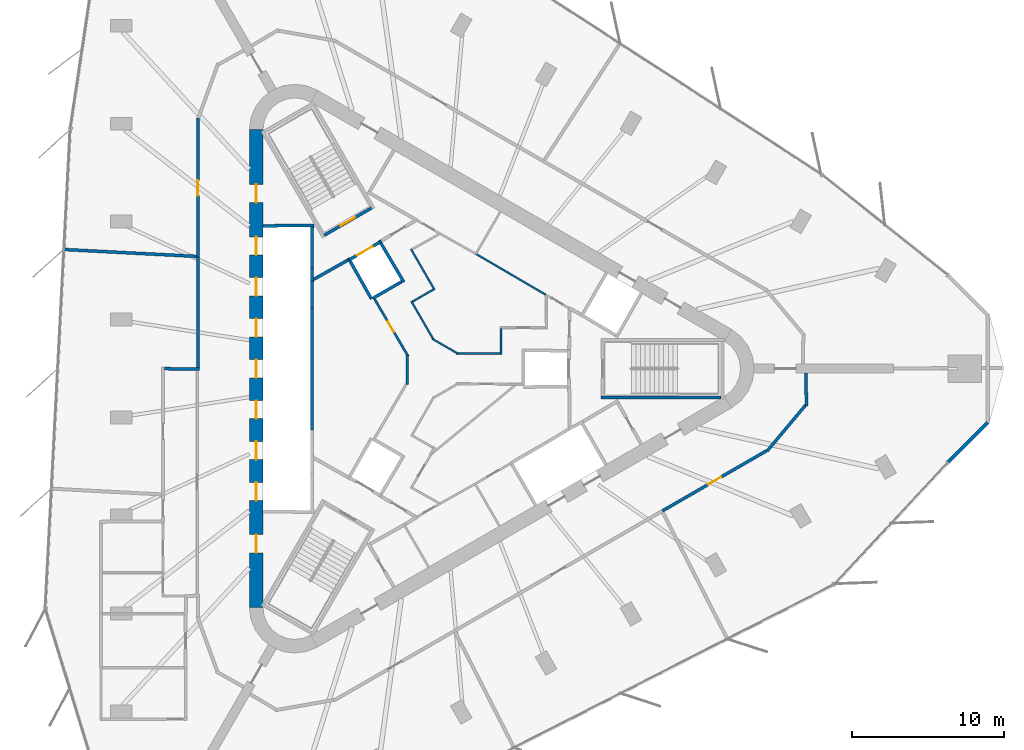
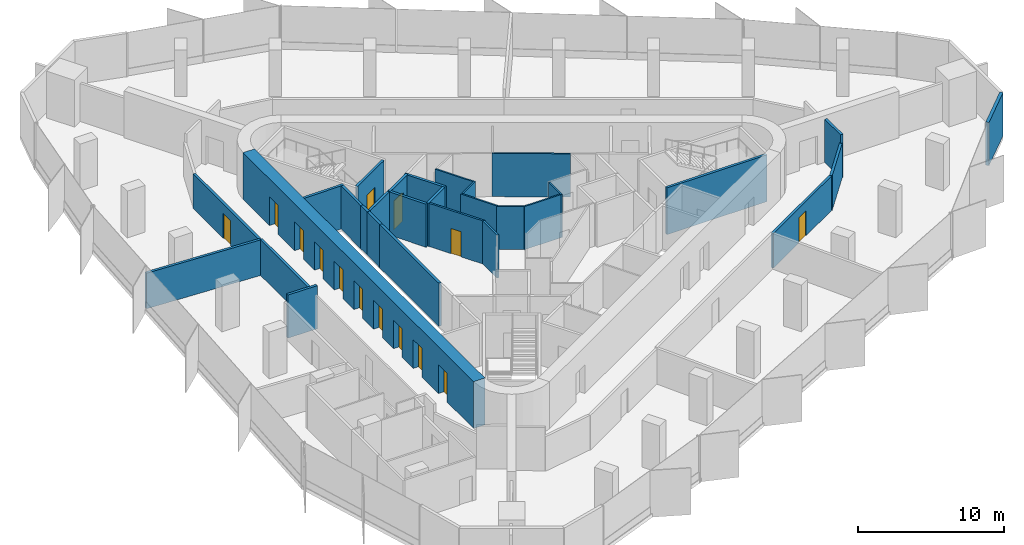
# One storey, part 10 of 13: 30 walls, 14 doors, 14 openings.
"""IFC4 building model written with IfcOpenShell, lengths in metres."""

from ifc_helpers import new_model, si_unit, direction, frame, frame_2d, origin, place, context, subcontext, project, spatial, rectangle, extrude, material, layer, layer_set, type_object, element, fill, save


model = new_model("IFC4")

# Units and contexts
model_context = context("Model", 3, precision=1e-05, world=origin(), true_north=direction((0.0, 1.0)))
body_context = subcontext(model_context, "Body", "Model", "MODEL_VIEW")
ifc_project = project(units=[si_unit("LENGTHUNIT", "METRE"), si_unit("AREAUNIT", "SQUARE_METRE"), si_unit("VOLUMEUNIT", "CUBIC_METRE"), si_unit("PLANEANGLEUNIT", "RADIAN"), si_unit("MASSUNIT", "GRAM", prefix="KILO")], contexts=[model_context])

# Site, building, storey
site_placement = place(None, origin())
site = spatial("IfcSite", under=ifc_project, at=site_placement, CompositionType="ELEMENT")
building_placement = place(site_placement, origin())
building = spatial("IfcBuilding", under=site, at=building_placement, Name="Tanit Gate Tower", CompositionType="ELEMENT")
storey_placement = place(building_placement, frame((0.0, 0.0, 310.39990234375)))
storey = spatial("IfcBuildingStorey", under=building, at=storey_placement, Name="L69", CompositionType="ELEMENT", Elevation=310.39990234375)

# Wall, openings, doors
ifc_material_1 = material(Name="Concrete C40/50", Category="concrete")
ifc_layer_1 = layer(ifc_material_1, 0.89990234375)
ifc_layer_set_1 = layer_set([ifc_layer_1], Name="CORE WALL 900 C40/50")
wall_type_1 = type_object("IfcWallType", Name="CORE WALL 900 C40/50", PredefinedType="SHEAR", material=ifc_layer_set_1)
wall_1_placement = place(storey_placement, frame((-11.64990234375, 15.76171875, 0.0), z_axis=(0.0, 0.0, 1.0), x_axis=(0.0, -1.0, 0.0)))
wall_1 = element("IfcWall", 1, at=wall_1_placement, inside=storey, type_object=wall_type_1, Name="CORE WALL", PredefinedType="SHEAR", context=body_context, shape_type="SweptSolid", body=[
    extrude(rectangle(XDim=31.5234375, YDim=0.89990234375, at=frame_2d((15.76171875, 0.0))), origin(), (0.0, 0.0, 1.0), 3.900146484375),
])
opening_1_placement = place(wall_1_placement, frame((7.061767578125, 0.0, 0.0)))
opening_1 = element("IfcOpeningElement", 2, at=opening_1_placement, cuts=wall_1, Name="Opening LDHL1-S19", PredefinedType="OPENING", context=body_context, shape_type="SweptSolid", body=[
    extrude(rectangle(XDim=1.199951171875, YDim=2.39990234375, at=frame_2d((0.60009765625, 1.199951171875))), frame((0.0, 0.4599609375, 0.0), z_axis=(0.0, -1.0, 0.0), x_axis=(1.0, 0.0, 0.0)), (0.0, 0.0, 1.0), 0.919921875),
])
opening_2_placement = place(wall_1_placement, frame((9.76171875, 0.0, 0.0)))
opening_2 = element("IfcOpeningElement", 3, at=opening_2_placement, cuts=wall_1, Name="Opening LDHL2-S19", PredefinedType="OPENING", context=body_context, shape_type="SweptSolid", body=[
    extrude(rectangle(XDim=1.199951171875, YDim=2.39990234375, at=frame_2d((0.60009765625, 1.199951171875))), frame((0.0, 0.4599609375, 0.0), z_axis=(0.0, -1.0, 0.0), x_axis=(1.0, 0.0, 0.0)), (0.0, 0.0, 1.0), 0.919921875),
])
opening_3_placement = place(wall_1_placement, frame((12.461669921875, 0.0, 0.0)))
opening_3 = element("IfcOpeningElement", 4, at=opening_3_placement, cuts=wall_1, Name="Opening LDHL3-S19", PredefinedType="OPENING", context=body_context, shape_type="SweptSolid", body=[
    extrude(rectangle(XDim=1.199951171875, YDim=2.39990234375, at=frame_2d((0.60009765625, 1.199951171875))), frame((0.0, 0.4599609375, 0.0), z_axis=(0.0, -1.0, 0.0), x_axis=(1.0, 0.0, 0.0)), (0.0, 0.0, 1.0), 0.919921875),
])
opening_4_placement = place(wall_1_placement, frame((15.16162109375, 0.0, 0.0)))
opening_4 = element("IfcOpeningElement", 5, at=opening_4_placement, cuts=wall_1, Name="Opening LDHL4-S19", PredefinedType="OPENING", context=body_context, shape_type="SweptSolid", body=[
    extrude(rectangle(XDim=1.199951171875, YDim=2.39990234375, at=frame_2d((0.60009765625, 1.199951171875))), frame((0.0, 0.4599609375, 0.0), z_axis=(0.0, -1.0, 0.0), x_axis=(1.0, 0.0, 0.0)), (0.0, 0.0, 1.0), 0.919921875),
])
opening_5_placement = place(wall_1_placement, frame((17.86181640625, 0.0, 0.0)))
opening_5 = element("IfcOpeningElement", 6, at=opening_5_placement, cuts=wall_1, Name="Opening LDHL5-S19", PredefinedType="OPENING", context=body_context, shape_type="SweptSolid", body=[
    extrude(rectangle(XDim=1.199951171875, YDim=2.39990234375, at=frame_2d((0.60009765625, 1.199951171875))), frame((0.0, 0.4599609375, 0.0), z_axis=(0.0, -1.0, 0.0), x_axis=(1.0, 0.0, 0.0)), (0.0, 0.0, 1.0), 0.919921875),
])
opening_6_placement = place(wall_1_placement, frame((20.561767578125, 0.0, 0.0)))
opening_6 = element("IfcOpeningElement", 7, at=opening_6_placement, cuts=wall_1, Name="Opening LDHL6-S19", PredefinedType="OPENING", context=body_context, shape_type="SweptSolid", body=[
    extrude(rectangle(XDim=1.199951171875, YDim=2.39990234375, at=frame_2d((0.60009765625, 1.199951171875))), frame((0.0, 0.4599609375, 0.0), z_axis=(0.0, -1.0, 0.0), x_axis=(1.0, 0.0, 0.0)), (0.0, 0.0, 1.0), 0.919921875),
])
opening_7_placement = place(wall_1_placement, frame((23.26171875, 0.0, 0.0)))
opening_7 = element("IfcOpeningElement", 8, at=opening_7_placement, cuts=wall_1, Name="Opening LDHL7-S19", PredefinedType="OPENING", context=body_context, shape_type="SweptSolid", body=[
    extrude(rectangle(XDim=1.199951171875, YDim=2.39990234375, at=frame_2d((0.60009765625, 1.199951171875))), frame((0.0, 0.4599609375, 0.0), z_axis=(0.0, -1.0, 0.0), x_axis=(1.0, 0.0, 0.0)), (0.0, 0.0, 1.0), 0.919921875),
])
opening_8_placement = place(wall_1_placement, frame((3.61181640625, 0.0, 0.0)))
opening_8 = element("IfcOpeningElement", 9, at=opening_8_placement, cuts=wall_1, Name="Opening F12-S19-FL2", PredefinedType="OPENING", context=body_context, shape_type="SweptSolid", body=[
    extrude(rectangle(XDim=1.199951171875, YDim=2.39990234375, at=frame_2d((0.60009765625, 1.199951171875))), frame((0.0, 0.4599609375, 0.0), z_axis=(0.0, -1.0, 0.0), x_axis=(1.0, 0.0, 0.0)), (0.0, 0.0, 1.0), 0.919921875),
])
opening_9_placement = place(wall_1_placement, frame((26.711669921875, 0.0, 0.0)))
opening_9 = element("IfcOpeningElement", 10, at=opening_9_placement, cuts=wall_1, Name="Opening F12-S19-S3", PredefinedType="OPENING", context=body_context, shape_type="SweptSolid", body=[
    extrude(rectangle(XDim=1.199951171875, YDim=2.39990234375, at=frame_2d((0.60009765625, 1.199951171875))), frame((0.0, 0.4599609375, 0.0), z_axis=(0.0, -1.0, 0.0), x_axis=(1.0, 0.0, 0.0)), (0.0, 0.0, 1.0), 0.919921875),
])
ifc_material_2 = material(Name="Fire-rated steel door leaf", Category="steel")
door_type_1 = type_object("IfcDoorType", Name="INT-DOOR-FIRE-LOBBY-1200", OperationType="NOTDEFINED", PredefinedType="USERDEFINED", material=ifc_material_2)
door_1_placement = place(opening_8_placement, origin())
door_1 = element("IfcDoor", 11, at=door_1_placement, inside=storey, type_object=door_type_1, Name="Door F12-S19-FL2", ObjectType="FIRE DOOR", OperationType="SINGLE_SWING_LEFT", OverallHeight=2.39990234375, OverallWidth=1.199951171875, PredefinedType="USERDEFINED", context=body_context, shape_type="SweptSolid", body=[
    extrude(rectangle(XDim=1.199951171875, YDim=2.39990234375, at=frame_2d((0.60009765625, 1.199951171875))), frame((0.0, 0.02490234375, 0.0), z_axis=(0.0, -1.0, 0.0), x_axis=(1.0, 0.0, 0.0)), (0.0, 0.0, 1.0), 0.050048828125),
])
fill(opening_8, door_1)
door_2_placement = place(opening_9_placement, origin())
door_2 = element("IfcDoor", 12, at=door_2_placement, inside=storey, type_object=door_type_1, Name="Door F12-S19-S3", ObjectType="FIRE DOOR", OperationType="SINGLE_SWING_RIGHT", OverallHeight=2.39990234375, OverallWidth=1.199951171875, PredefinedType="USERDEFINED", context=body_context, shape_type="SweptSolid", body=[
    extrude(rectangle(XDim=1.199951171875, YDim=2.39990234375, at=frame_2d((0.60009765625, 1.199951171875))), frame((0.0, 0.02490234375, 0.0), z_axis=(0.0, -1.0, 0.0), x_axis=(1.0, 0.0, 0.0)), (0.0, 0.0, 1.0), 0.050048828125),
])
fill(opening_9, door_2)
ifc_material_3 = material(Name="Stainless steel sliding door leaf", Category="steel")
door_type_2 = type_object("IfcDoorType", Name="INT-DOOR-LANDING-1200", OperationType="NOTDEFINED", PredefinedType="USERDEFINED", material=ifc_material_3)
door_3_placement = place(opening_1_placement, origin())
door_3 = element("IfcDoor", 13, at=door_3_placement, inside=storey, type_object=door_type_2, Name="Door LDHL1-S19", ObjectType="LANDING DOOR", OperationType="SLIDING_TO_LEFT", OverallHeight=2.39990234375, OverallWidth=1.199951171875, PredefinedType="USERDEFINED", context=body_context, shape_type="SweptSolid", body=[
    extrude(rectangle(XDim=1.199951171875, YDim=2.39990234375, at=frame_2d((0.60009765625, 1.199951171875))), frame((0.0, 0.02490234375, 0.0), z_axis=(0.0, -1.0, 0.0), x_axis=(1.0, 0.0, 0.0)), (0.0, 0.0, 1.0), 0.050048828125),
])
fill(opening_1, door_3)
door_4_placement = place(opening_2_placement, origin())
door_4 = element("IfcDoor", 14, at=door_4_placement, inside=storey, type_object=door_type_2, Name="Door LDHL2-S19", ObjectType="LANDING DOOR", OperationType="SLIDING_TO_LEFT", OverallHeight=2.39990234375, OverallWidth=1.199951171875, PredefinedType="USERDEFINED", context=body_context, shape_type="SweptSolid", body=[
    extrude(rectangle(XDim=1.199951171875, YDim=2.39990234375, at=frame_2d((0.60009765625, 1.199951171875))), frame((0.0, 0.02490234375, 0.0), z_axis=(0.0, -1.0, 0.0), x_axis=(1.0, 0.0, 0.0)), (0.0, 0.0, 1.0), 0.050048828125),
])
fill(opening_2, door_4)
door_5_placement = place(opening_3_placement, origin())
door_5 = element("IfcDoor", 15, at=door_5_placement, inside=storey, type_object=door_type_2, Name="Door LDHL3-S19", ObjectType="LANDING DOOR", OperationType="SLIDING_TO_LEFT", OverallHeight=2.39990234375, OverallWidth=1.199951171875, PredefinedType="USERDEFINED", context=body_context, shape_type="SweptSolid", body=[
    extrude(rectangle(XDim=1.199951171875, YDim=2.39990234375, at=frame_2d((0.60009765625, 1.199951171875))), frame((0.0, 0.02490234375, 0.0), z_axis=(0.0, -1.0, 0.0), x_axis=(1.0, 0.0, 0.0)), (0.0, 0.0, 1.0), 0.050048828125),
])
fill(opening_3, door_5)
door_6_placement = place(opening_4_placement, origin())
door_6 = element("IfcDoor", 16, at=door_6_placement, inside=storey, type_object=door_type_2, Name="Door LDHL4-S19", ObjectType="LANDING DOOR", OperationType="SLIDING_TO_LEFT", OverallHeight=2.39990234375, OverallWidth=1.199951171875, PredefinedType="USERDEFINED", context=body_context, shape_type="SweptSolid", body=[
    extrude(rectangle(XDim=1.199951171875, YDim=2.39990234375, at=frame_2d((0.60009765625, 1.199951171875))), frame((0.0, 0.02490234375, 0.0), z_axis=(0.0, -1.0, 0.0), x_axis=(1.0, 0.0, 0.0)), (0.0, 0.0, 1.0), 0.050048828125),
])
fill(opening_4, door_6)
door_7_placement = place(opening_5_placement, origin())
door_7 = element("IfcDoor", 17, at=door_7_placement, inside=storey, type_object=door_type_2, Name="Door LDHL5-S19", ObjectType="LANDING DOOR", OperationType="SLIDING_TO_LEFT", OverallHeight=2.39990234375, OverallWidth=1.199951171875, PredefinedType="USERDEFINED", context=body_context, shape_type="SweptSolid", body=[
    extrude(rectangle(XDim=1.199951171875, YDim=2.39990234375, at=frame_2d((0.60009765625, 1.199951171875))), frame((0.0, 0.02490234375, 0.0), z_axis=(0.0, -1.0, 0.0), x_axis=(1.0, 0.0, 0.0)), (0.0, 0.0, 1.0), 0.050048828125),
])
fill(opening_5, door_7)
door_8_placement = place(opening_6_placement, origin())
door_8 = element("IfcDoor", 18, at=door_8_placement, inside=storey, type_object=door_type_2, Name="Door LDHL6-S19", ObjectType="LANDING DOOR", OperationType="SLIDING_TO_LEFT", OverallHeight=2.39990234375, OverallWidth=1.199951171875, PredefinedType="USERDEFINED", context=body_context, shape_type="SweptSolid", body=[
    extrude(rectangle(XDim=1.199951171875, YDim=2.39990234375, at=frame_2d((0.60009765625, 1.199951171875))), frame((0.0, 0.02490234375, 0.0), z_axis=(0.0, -1.0, 0.0), x_axis=(1.0, 0.0, 0.0)), (0.0, 0.0, 1.0), 0.050048828125),
])
fill(opening_6, door_8)
door_9_placement = place(opening_7_placement, origin())
door_9 = element("IfcDoor", 19, at=door_9_placement, inside=storey, type_object=door_type_2, Name="Door LDHL7-S19", ObjectType="LANDING DOOR", OperationType="SLIDING_TO_LEFT", OverallHeight=2.39990234375, OverallWidth=1.199951171875, PredefinedType="USERDEFINED", context=body_context, shape_type="SweptSolid", body=[
    extrude(rectangle(XDim=1.199951171875, YDim=2.39990234375, at=frame_2d((0.60009765625, 1.199951171875))), frame((0.0, 0.02490234375, 0.0), z_axis=(0.0, -1.0, 0.0), x_axis=(1.0, 0.0, 0.0)), (0.0, 0.0, 1.0), 0.050048828125),
])
fill(opening_7, door_9)

# Walls
ifc_material_4 = material(Name="Concrete C30/37 with bronze anodised aluminium cladding", Category="concrete")
ifc_layer_2 = layer(ifc_material_4, 0.239990234375)
ifc_layer_set_2 = layer_set([ifc_layer_2], Name="Facade wall bronze clad 240")
wall_type_2 = type_object("IfcWallType", Name="Facade wall bronze clad 240", PredefinedType="SOLIDWALL", material=ifc_layer_set_2)
wall_2_placement = place(storey_placement, frame((33.988525390625, -6.166015625, 0.0), z_axis=(0.0, 0.0, 1.0), x_axis=(0.707073835035, 0.707139725803, 0.0)))
element("IfcWall", 20, at=wall_2_placement, inside=storey, type_object=wall_type_2, Name="Bronze-clad facade wall L69 E.arc1", PredefinedType="SOLIDWALL", context=body_context, shape_type="SweptSolid", body=[
    extrude(rectangle(XDim=3.705322265625, YDim=0.239990234375, at=frame_2d((1.8525390625, 0.0))), origin(), (0.0, 0.0, 1.0), 3.60009765625),
])
ifc_material_5 = material(Name="Fire-rated gypsum board partition")
ifc_layer_3 = layer(ifc_material_5, 0.199951171875)
ifc_layer_set_3 = layer_set([ifc_layer_3], Name="INT-WALL-COMPARTMENT")
wall_type_3 = type_object("IfcWallType", Name="INT-WALL-COMPARTMENT", PredefinedType="PARTITIONING", material=ifc_layer_set_3)
wall_3_placement = place(storey_placement, frame((-5.600341796875, 7.16015625, 0.0), z_axis=(0.0, 0.0, 1.0), x_axis=(-0.871340486379, -0.490678873396, 0.0)))
element("IfcWall", 21, at=wall_3_placement, inside=storey, type_object=wall_type_3, Name="Wall Compartment W064", PredefinedType="PARTITIONING", context=body_context, shape_type="SweptSolid", body=[
    extrude(rectangle(XDim=2.580810546875, YDim=0.199951171875, at=frame_2d((1.29052734375, 0.0))), origin(), (0.0, 0.0, 1.0), 3.60009765625),
])
wall_4_placement = place(storey_placement, frame((-15.39990234375, -0.03125, 0.0), z_axis=(0.0, 0.0, 1.0), x_axis=(-0.999914782125, 0.013054826261, 0.0)))
element("IfcWall", 22, at=wall_4_placement, inside=storey, type_object=wall_type_3, Name="Wall Compartment W093", PredefinedType="PARTITIONING", context=body_context, shape_type="SweptSolid", body=[
    extrude(rectangle(XDim=2.30029296875, YDim=0.199951171875, at=frame_2d((1.150146484375, 0.0))), origin(), (0.0, 0.0, 1.0), 3.60009765625),
])

# Wall, opening, door
wall_5_placement = place(storey_placement, frame((-15.5, 16.54052734375, 0.0), z_axis=(0.0, 0.0, 1.0), x_axis=(0.0, -1.0, 0.0)))
wall_5 = element("IfcWall", 23, at=wall_5_placement, inside=storey, type_object=wall_type_3, Name="Wall Compartment W101", PredefinedType="PARTITIONING", context=body_context, shape_type="SweptSolid", body=[
    extrude(rectangle(XDim=9.16259765625, YDim=0.199951171875, at=frame_2d((4.581298828125, 0.0))), origin(), (0.0, 0.0, 1.0), 2.880126953125),
])
opening_10_placement = place(wall_5_placement, frame((4.119873046875, 0.0, 0.0)))
opening_10 = element("IfcOpeningElement", 24, at=opening_10_placement, cuts=wall_5, Name="Opening F10-S19-27", PredefinedType="OPENING", context=body_context, shape_type="SweptSolid", body=[
    extrude(rectangle(XDim=1.0, YDim=2.10009765625, at=frame_2d((0.5, 1.050048828125))), frame((0.0, 0.10986328125, 0.0), z_axis=(0.0, -1.0, 0.0), x_axis=(1.0, 0.0, 0.0)), (0.0, 0.0, 1.0), 0.219970703125),
])
ifc_material_6 = material(Name="Fire-rated steel door leaf", Category="steel")
door_type_3 = type_object("IfcDoorType", Name="INT-DOOR-FIRE-1000", OperationType="NOTDEFINED", PredefinedType="USERDEFINED", material=ifc_material_6)
door_10_placement = place(opening_10_placement, origin())
door_10 = element("IfcDoor", 25, at=door_10_placement, inside=storey, type_object=door_type_3, Name="Door F10-S19-27", ObjectType="FIRE DOOR", OperationType="SINGLE_SWING_LEFT", OverallHeight=2.10009765625, OverallWidth=1.0, PredefinedType="USERDEFINED", context=body_context, shape_type="SweptSolid", body=[
    extrude(rectangle(XDim=1.0, YDim=2.10009765625, at=frame_2d((0.5, 1.050048828125))), frame((0.0, 0.02490234375, 0.0), z_axis=(0.0, -1.0, 0.0), x_axis=(1.0, 0.0, 0.0)), (0.0, 0.0, 1.0), 0.050048828125),
])
fill(opening_10, door_10)

# Walls
wall_6_placement = place(storey_placement, frame((-15.5, 7.3779296875, 0.0), z_axis=(0.0, 0.0, 1.0), x_axis=(0.0, -1.0, 0.0)))
element("IfcWall", 26, at=wall_6_placement, inside=storey, type_object=wall_type_3, Name="Wall Compartment W100", PredefinedType="PARTITIONING", context=body_context, shape_type="SweptSolid", body=[
    extrude(rectangle(XDim=7.307861328125, YDim=0.199951171875, at=frame_2d((3.65380859375, 0.0))), origin(), (0.0, 0.0, 1.0), 2.97021484375),
])
wall_7_placement = place(storey_placement, frame((24.647705078125, -2.46240234375, 0.0), z_axis=(0.0, 0.0, 1.0), x_axis=(-0.012757232068, 0.999918623204, 0.0)))
element("IfcWall", 27, at=wall_7_placement, inside=storey, type_object=wall_type_3, Name="Wall Compartment W110", PredefinedType="PARTITIONING", context=body_context, shape_type="SweptSolid", body=[
    extrude(rectangle(XDim=2.16259765625, YDim=0.199951171875, at=frame_2d((1.081298828125, 0.0))), origin(), (0.0, 0.0, 1.0), 3.60009765625),
])
wall_8_placement = place(storey_placement, frame((22.05419921875, -5.435302734375, 0.0), z_axis=(0.0, 0.0, 1.0), x_axis=(0.642790979996, 0.766041615081, 0.0)))
element("IfcWall", 28, at=wall_8_placement, inside=storey, type_object=wall_type_3, Name="Wall Compartment W111", PredefinedType="PARTITIONING", context=body_context, shape_type="SweptSolid", body=[
    extrude(rectangle(XDim=3.9833984375, YDim=0.199951171875, at=frame_2d((1.99169921875, 0.0))), origin(), (0.0, 0.0, 1.0), 2.880126953125),
])

# Wall, opening, door
wall_9_placement = place(storey_placement, frame((15.15234375, -9.380615234375, 0.0), z_axis=(0.0, 0.0, 1.0), x_axis=(0.866019759539, 0.500009775993, 0.0)))
wall_9 = element("IfcWall", 29, at=wall_9_placement, inside=storey, type_object=wall_type_3, Name="Wall Compartment W112", PredefinedType="PARTITIONING", context=body_context, shape_type="SweptSolid", body=[
    extrude(rectangle(XDim=7.943603515625, YDim=0.199951171875, at=frame_2d((3.9716796875, 0.0))), origin(), (0.0, 0.0, 1.0), 2.880126953125),
])
opening_11_placement = place(wall_9_placement, frame((3.471923828125, 0.0, 0.0)))
opening_11 = element("IfcOpeningElement", 30, at=opening_11_placement, cuts=wall_9, Name="Opening F10-S19-30", PredefinedType="OPENING", context=body_context, shape_type="SweptSolid", body=[
    extrude(rectangle(XDim=1.0, YDim=2.10009765625, at=frame_2d((0.5, 1.050048828125))), frame((0.0, 0.10986328125, 0.0), z_axis=(0.0, -1.0, 0.0), x_axis=(1.0, 0.0, 0.0)), (0.0, 0.0, 1.0), 0.219970703125),
])
door_11_placement = place(opening_11_placement, origin())
door_11 = element("IfcDoor", 31, at=door_11_placement, inside=storey, type_object=door_type_3, Name="Door F10-S19-30", ObjectType="FIRE DOOR", OperationType="SINGLE_SWING_LEFT", OverallHeight=2.10009765625, OverallWidth=1.0, PredefinedType="USERDEFINED", context=body_context, shape_type="SweptSolid", body=[
    extrude(rectangle(XDim=1.0, YDim=2.10009765625, at=frame_2d((0.5, 1.050048828125))), frame((0.0, 0.02490234375, 0.0), z_axis=(0.0, -1.0, 0.0), x_axis=(1.0, 0.0, 0.0)), (0.0, 0.0, 1.0), 0.050048828125),
])
fill(opening_11, door_11)

# Walls
wall_10_placement = place(storey_placement, frame((-24.326416015625, 7.8603515625, 0.0), z_axis=(0.0, 0.0, 1.0), x_axis=(0.998647308215, -0.051995709386, 0.0)))
element("IfcWall", 32, at=wall_10_placement, inside=storey, type_object=wall_type_3, Name="Wall Compartment W129", PredefinedType="PARTITIONING", context=body_context, shape_type="SweptSolid", body=[
    extrude(rectangle(XDim=8.738037109375, YDim=0.199951171875, at=frame_2d((4.369140625, 0.0))), origin(), (0.0, 0.0, 1.0), 2.97021484375),
])
ifc_material_7 = material(Name="Gypsum board partition")
ifc_layer_4 = layer(ifc_material_7, 0.1201171875)
ifc_layer_set_4 = layer_set([ifc_layer_4], Name="INT-WALL-PARTITION")
wall_type_4 = type_object("IfcWallType", Name="INT-WALL-PARTITION", PredefinedType="PARTITIONING", material=ifc_layer_set_4)
wall_11_placement = place(storey_placement, frame((7.456787109375, 4.875244140625, 0.0), z_axis=(0.0, 0.0, 1.0), x_axis=(-0.863262357411, 0.504755487615, 0.0)))
element("IfcWall", 33, at=wall_11_placement, inside=storey, type_object=wall_type_4, Name="Wall Partition W046", PredefinedType="PARTITIONING", context=body_context, shape_type="SweptSolid", body=[
    extrude(rectangle(XDim=5.370361328125, YDim=0.1201171875, at=frame_2d((2.68505859375, 0.0))), origin(), (0.0, 0.0, 1.0), 3.60009765625),
])
wall_12_placement = place(storey_placement, frame((4.5, 0.93994140625, 0.0), z_axis=(0.0, 0.0, 1.0), x_axis=(0.0, 1.0, 0.0)))
element("IfcWall", 34, at=wall_12_placement, inside=storey, type_object=wall_type_4, Name="Wall Partition W082", PredefinedType="PARTITIONING", context=body_context, shape_type="SweptSolid", body=[
    extrude(rectangle(XDim=1.699951171875, YDim=0.1201171875, at=frame_2d((0.85009765625, 0.0))), origin(), (0.0, 0.0, 1.0), 3.60009765625),
])
wall_13_placement = place(storey_placement, frame((1.54150390625, 1.0, 0.0), z_axis=(0.0, 0.0, 1.0), x_axis=(1.0, 0.0, 0.0)))
element("IfcWall", 35, at=wall_13_placement, inside=storey, type_object=wall_type_4, Name="Wall Partition W083", PredefinedType="PARTITIONING", context=body_context, shape_type="SweptSolid", body=[
    extrude(rectangle(XDim=2.8984375, YDim=0.1201171875, at=frame_2d((1.44921875, 0.0))), origin(), (0.0, 0.0, 1.0), 3.60009765625),
])
wall_14_placement = place(storey_placement, frame((-0.046630859375, 1.97705078125, 0.0), z_axis=(0.0, 0.0, 1.0), x_axis=(0.865998615205, -0.500046396311, 0.0)))
element("IfcWall", 36, at=wall_14_placement, inside=storey, type_object=wall_type_4, Name="Wall Partition W084", PredefinedType="PARTITIONING", context=body_context, shape_type="SweptSolid", body=[
    extrude(rectangle(XDim=1.935302734375, YDim=0.1201171875, at=frame_2d((0.9677734375, 0.0))), origin(), (0.0, 0.0, 1.0), 3.60009765625),
])
wall_15_placement = place(storey_placement, frame((-1.4140625, 4.448974609375, 0.0), z_axis=(0.0, 0.0, 1.0), x_axis=(0.500028961621, -0.866008682139, 0.0)))
element("IfcWall", 37, at=wall_15_placement, inside=storey, type_object=wall_type_4, Name="Wall Partition W085", PredefinedType="PARTITIONING", context=body_context, shape_type="SweptSolid", body=[
    extrude(rectangle(XDim=2.895751953125, YDim=0.1201171875, at=frame_2d((1.44775390625, 0.0))), origin(), (0.0, 0.0, 1.0), 3.60009765625),
])
wall_16_placement = place(storey_placement, frame((0.14013671875, 5.277099609375, 0.0), z_axis=(0.0, 0.0, 1.0), x_axis=(-0.865989465428, -0.500062241894, 0.0)))
element("IfcWall", 38, at=wall_16_placement, inside=storey, type_object=wall_type_4, Name="Wall Partition W086", PredefinedType="PARTITIONING", context=body_context, shape_type="SweptSolid", body=[
    extrude(rectangle(XDim=1.699951171875, YDim=0.1201171875, at=frame_2d((0.85009765625, 0.0))), origin(), (0.0, 0.0, 1.0), 3.60009765625),
])
wall_17_placement = place(storey_placement, frame((-1.441650390625, 7.897216796875, 0.0), z_axis=(0.0, 0.0, 1.0), x_axis=(0.499990139034, -0.866031096941, 0.0)))
element("IfcWall", 39, at=wall_17_placement, inside=storey, type_object=wall_type_4, Name="Wall Partition W087", PredefinedType="PARTITIONING", context=body_context, shape_type="SweptSolid", body=[
    extrude(rectangle(XDim=3.0, YDim=0.1201171875, at=frame_2d((1.5, 0.0))), origin(), (0.0, 0.0, 1.0), 3.60009765625),
])

# Wall, opening, door
ifc_material_8 = material(Name="Fire-rated gypsum board partition")
ifc_layer_5 = layer(ifc_material_8, 0.14990234375)
ifc_layer_set_5 = layer_set([ifc_layer_5], Name="INT-WALL-RISER")
wall_type_5 = type_object("IfcWallType", Name="INT-WALL-RISER", PredefinedType="PLUMBINGWALL", material=ifc_layer_set_5)
wall_18_placement = place(storey_placement, frame((-1.6240234375, 0.814697265625, 0.0), z_axis=(0.0, 0.0, 1.0), x_axis=(-0.505868173579, 0.862610799237, 0.0)))
wall_18 = element("IfcWall", 40, at=wall_18_placement, inside=storey, type_object=wall_type_5, Name="Wall Riser W068", PredefinedType="PLUMBINGWALL", context=body_context, shape_type="SweptSolid", body=[
    extrude(rectangle(XDim=4.382568359375, YDim=0.14990234375, at=frame_2d((2.19140625, 0.0))), origin(), (0.0, 0.0, 1.0), 3.60009765625),
])
opening_12_placement = place(wall_18_placement, frame((1.855224609375, 0.0, 0.0)))
opening_12 = element("IfcOpeningElement", 41, at=opening_12_placement, cuts=wall_18, Name="Opening R08-S19-10", PredefinedType="OPENING", context=body_context, shape_type="SweptSolid", body=[
    extrude(rectangle(XDim=0.800048828125, YDim=2.10009765625, at=frame_2d((0.39990234375, 1.050048828125))), frame((0.0, 0.0849609375, 0.0), z_axis=(0.0, -1.0, 0.0), x_axis=(1.0, 0.0, 0.0)), (0.0, 0.0, 1.0), 0.169921875),
])
ifc_material_9 = material(Name="Timber door leaf", Category="wood")
door_type_4 = type_object("IfcDoorType", Name="INT-DOOR-RISER-800", OperationType="NOTDEFINED", PredefinedType="USERDEFINED", material=ifc_material_9)
door_12_placement = place(opening_12_placement, origin())
door_12 = element("IfcDoor", 42, at=door_12_placement, inside=storey, type_object=door_type_4, Name="Door R08-S19-10", ObjectType="FIRE DOOR", OperationType="SINGLE_SWING_LEFT", OverallHeight=2.10009765625, OverallWidth=0.800048828125, PredefinedType="USERDEFINED", context=body_context, shape_type="SweptSolid", body=[
    extrude(rectangle(XDim=0.800048828125, YDim=2.10009765625, at=frame_2d((0.39990234375, 1.050048828125))), frame((0.0, 0.02490234375, 0.0), z_axis=(0.0, -1.0, 0.0), x_axis=(1.0, 0.0, 0.0)), (0.0, 0.0, 1.0), 0.050048828125),
])
fill(opening_12, door_12)

# Walls
wall_19_placement = place(storey_placement, frame((-1.688720703125, -1.052978515625, 0.0), z_axis=(0.0, 0.0, 1.0), x_axis=(0.0, 1.0, 0.0)))
element("IfcWall", 43, at=wall_19_placement, inside=storey, type_object=wall_type_5, Name="Wall Riser W069", PredefinedType="PLUMBINGWALL", context=body_context, shape_type="SweptSolid", body=[
    extrude(rectangle(XDim=1.954345703125, YDim=0.14990234375, at=frame_2d((0.97705078125, 0.0))), origin(), (0.0, 0.0, 1.0), 3.60009765625),
])
ifc_material_10 = material(Name="Gypsum shaft wall system")
ifc_layer_6 = layer(ifc_material_10, 0.199951171875)
ifc_layer_set_6 = layer_set([ifc_layer_6], Name="INT-WALL-SHAFT")
wall_type_6 = type_object("IfcWallType", Name="INT-WALL-SHAFT", PredefinedType="PLUMBINGWALL", material=ifc_layer_set_6)
wall_20_placement = place(storey_placement, frame((-11.199951171875, 9.419921875, 0.0), z_axis=(0.0, 0.0, 1.0), x_axis=(0.999957167047, 0.009255488683, 0.0)))
element("IfcWall", 44, at=wall_20_placement, inside=storey, type_object=wall_type_6, Name="Wall Shaft W001", PredefinedType="PLUMBINGWALL", context=body_context, shape_type="SweptSolid", body=[
    extrude(rectangle(XDim=3.35009765625, YDim=0.199951171875, at=frame_2d((1.675048828125, 0.0))), origin(), (0.0, 0.0, 1.0), 3.60009765625),
])
wall_21_placement = place(storey_placement, frame((-7.951171875, 9.35009765625, 0.0), z_axis=(0.0, 0.0, 1.0), x_axis=(-0.011120469654, -0.999938165666, 0.0)))
element("IfcWall", 45, at=wall_21_placement, inside=storey, type_object=wall_type_6, Name="Wall Shaft W002", PredefinedType="PLUMBINGWALL", context=body_context, shape_type="SweptSolid", body=[
    extrude(rectangle(XDim=2.700439453125, YDim=0.199951171875, at=frame_2d((1.35009765625, 0.0))), origin(), (0.0, 0.0, 1.0), 3.60009765625),
])
wall_22_placement = place(storey_placement, frame((-7.97705078125, 6.650146484375, 0.0), z_axis=(0.0, 0.0, 1.0), x_axis=(0.030861509705, -0.999523670164, 0.0)))
element("IfcWall", 46, at=wall_22_placement, inside=storey, type_object=wall_type_6, Name="Wall Shaft W003", PredefinedType="PLUMBINGWALL", context=body_context, shape_type="SweptSolid", body=[
    extrude(rectangle(XDim=0.878173828125, YDim=0.199951171875, at=frame_2d((0.43896484375, 0.0))), origin(), (0.0, 0.0, 1.0), 3.60009765625),
])
wall_23_placement = place(storey_placement, frame((-7.948974609375, 5.894287109375, 0.0), z_axis=(0.0, 0.0, 1.0), x_axis=(-0.016809909365, -0.999858703491, 0.0)))
element("IfcWall", 47, at=wall_23_placement, inside=storey, type_object=wall_type_6, Name="Wall Shaft W004", PredefinedType="PLUMBINGWALL", context=body_context, shape_type="SweptSolid", body=[
    extrude(rectangle(XDim=1.844482421875, YDim=0.199951171875, at=frame_2d((0.92236328125, 0.0))), origin(), (0.0, 0.0, 1.0), 3.60009765625),
])
wall_24_placement = place(storey_placement, frame((-7.97998046875, 4.050048828125, 0.0), z_axis=(0.0, 0.0, 1.0), x_axis=(0.0, -1.0, 0.0)))
element("IfcWall", 48, at=wall_24_placement, inside=storey, type_object=wall_type_6, Name="Wall Shaft W005", PredefinedType="PLUMBINGWALL", context=body_context, shape_type="SweptSolid", body=[
    extrude(rectangle(XDim=8.10009765625, YDim=0.199951171875, at=frame_2d((4.050048828125, 0.0))), origin(), (0.0, 0.0, 1.0), 3.60009765625),
])

# Wall, opening, door
wall_25_placement = place(storey_placement, frame((-5.524169921875, 7.168212890625, 0.0), z_axis=(0.0, 0.0, 1.0), x_axis=(0.866024647952, 0.500001309137, 0.0)))
wall_25 = element("IfcWall", 49, at=wall_25_placement, inside=storey, type_object=wall_type_6, Name="Wall Shaft W032", PredefinedType="PLUMBINGWALL", context=body_context, shape_type="SweptSolid", body=[
    extrude(rectangle(XDim=2.39990234375, YDim=0.199951171875, at=frame_2d((1.199951171875, 0.0))), origin(), (0.0, 0.0, 1.0), 3.60009765625),
])
opening_13_placement = place(wall_25_placement, frame((0.60009765625, 0.0, 0.0)))
opening_13 = element("IfcOpeningElement", 50, at=opening_13_placement, cuts=wall_25, Name="Opening LDFL2-L69", PredefinedType="OPENING", context=body_context, shape_type="SweptSolid", body=[
    extrude(rectangle(XDim=1.199951171875, YDim=2.39990234375, at=frame_2d((0.60009765625, 1.199951171875))), frame((0.0, 0.10986328125, 0.0), z_axis=(0.0, -1.0, 0.0), x_axis=(1.0, 0.0, 0.0)), (0.0, 0.0, 1.0), 0.219970703125),
])
door_13_placement = place(opening_13_placement, origin())
door_13 = element("IfcDoor", 51, at=door_13_placement, inside=storey, type_object=door_type_2, Name="Door LDFL2-L69", ObjectType="LANDING DOOR", OperationType="SLIDING_TO_LEFT", OverallHeight=2.39990234375, OverallWidth=1.199951171875, PredefinedType="USERDEFINED", context=body_context, shape_type="SweptSolid", body=[
    extrude(rectangle(XDim=1.199951171875, YDim=2.39990234375, at=frame_2d((0.60009765625, 1.199951171875))), frame((0.0, 0.02490234375, 0.0), z_axis=(0.0, -1.0, 0.0), x_axis=(1.0, 0.0, 0.0)), (0.0, 0.0, 1.0), 0.050048828125),
])
fill(opening_13, door_13)

# Walls
wall_26_placement = place(storey_placement, frame((-4.039306640625, 4.59619140625, 0.0), z_axis=(0.0, 0.0, 1.0), x_axis=(-0.491322718731, 0.870977603649, 0.0)))
element("IfcWall", 52, at=wall_26_placement, inside=storey, type_object=wall_type_6, Name="Wall Shaft W033", PredefinedType="PLUMBINGWALL", context=body_context, shape_type="SweptSolid", body=[
    extrude(rectangle(XDim=3.10009765625, YDim=0.199951171875, at=frame_2d((1.550048828125, 0.0))), origin(), (0.0, 0.0, 1.0), 3.60009765625),
])
wall_27_placement = place(storey_placement, frame((-3.53759765625, 8.46533203125, 0.0), z_axis=(0.0, 0.0, 1.0), x_axis=(0.508616218331, -0.860993346345, 0.0)))
element("IfcWall", 53, at=wall_27_placement, inside=storey, type_object=wall_type_6, Name="Wall Shaft W034", PredefinedType="PLUMBINGWALL", context=body_context, shape_type="SweptSolid", body=[
    extrude(rectangle(XDim=3.2001953125, YDim=0.199951171875, at=frame_2d((1.60009765625, 0.0))), origin(), (0.0, 0.0, 1.0), 3.60009765625),
])
wall_28_placement = place(storey_placement, frame((-2.04736328125, 5.74609375, 0.0), z_axis=(0.0, 0.0, 1.0), x_axis=(-0.866019606374, -0.500010041276, 0.0)))
element("IfcWall", 54, at=wall_28_placement, inside=storey, type_object=wall_type_6, Name="Wall Shaft W035", PredefinedType="PLUMBINGWALL", context=body_context, shape_type="SweptSolid", body=[
    extrude(rectangle(XDim=2.20458984375, YDim=0.199951171875, at=frame_2d((1.102294921875, 0.0))), origin(), (0.0, 0.0, 1.0), 3.60009765625),
])
ifc_material_11 = material(Name="Concrete C40/50", Category="concrete")
ifc_layer_7 = layer(ifc_material_11, 0.199951171875)
ifc_layer_set_7 = layer_set([ifc_layer_7], Name="INT-WALL-STAIR")
wall_type_7 = type_object("IfcWallType", Name="INT-WALL-STAIR", PredefinedType="SHEAR", material=ifc_layer_set_7)
wall_29_placement = place(storey_placement, frame((11.10009765625, -1.89990234375, -0.2998046875), z_axis=(0.0, 0.0, 1.0), x_axis=(1.0, 0.0, 0.0)))
element("IfcWall", 55, at=wall_29_placement, inside=storey, type_object=wall_type_7, Name="Wall Stair W022", PredefinedType="SHEAR", context=body_context, shape_type="SweptSolid", body=[
    extrude(rectangle(XDim=7.89990234375, YDim=0.199951171875, at=frame_2d((3.949951171875, 0.0))), origin(), (0.0, 0.0, 1.0), 3.89990234375),
])

# Wall, opening, door
wall_30_placement = place(storey_placement, frame((-7.158935546875, 8.799560546875, -0.2998046875), z_axis=(0.0, 0.0, 1.0), x_axis=(0.866047807691, 0.499961193289, 0.0)))
wall_30 = element("IfcWall", 56, at=wall_30_placement, inside=storey, type_object=wall_type_7, Name="Wall Stair W031", PredefinedType="SHEAR", context=body_context, shape_type="SweptSolid", body=[
    extrude(rectangle(XDim=3.599853515625, YDim=0.199951171875, at=frame_2d((1.7998046875, 0.0))), origin(), (0.0, 0.0, 1.0), 3.89990234375),
])
opening_14_placement = place(wall_30_placement, frame((1.25, 0.0, 0.300048828125)))
opening_14 = element("IfcOpeningElement", 57, at=opening_14_placement, cuts=wall_30, Name="Opening S11-S19-04", PredefinedType="OPENING", context=body_context, shape_type="SweptSolid", body=[
    extrude(rectangle(XDim=1.10009765625, YDim=2.10009765625, at=frame_2d((0.550048828125, 1.050048828125))), frame((0.0, 0.10986328125, 0.0), z_axis=(0.0, -1.0, 0.0), x_axis=(1.0, 0.0, 0.0)), (0.0, 0.0, 1.0), 0.219970703125),
])
ifc_material_12 = material(Name="Timber door leaf", Category="wood")
door_type_5 = type_object("IfcDoorType", Name="INT-DOOR-STAIR-1100", OperationType="NOTDEFINED", PredefinedType="USERDEFINED", material=ifc_material_12)
door_14_placement = place(opening_14_placement, origin())
door_14 = element("IfcDoor", 58, at=door_14_placement, inside=storey, type_object=door_type_5, Name="Door S11-S19-04", ObjectType="FIRE DOOR", OperationType="SINGLE_SWING_LEFT", OverallHeight=2.10009765625, OverallWidth=1.10009765625, PredefinedType="USERDEFINED", context=body_context, shape_type="SweptSolid", body=[
    extrude(rectangle(XDim=1.10009765625, YDim=2.10009765625, at=frame_2d((0.550048828125, 1.050048828125))), frame((0.0, 0.02490234375, 0.0), z_axis=(0.0, -1.0, 0.0), x_axis=(1.0, 0.0, 0.0)), (0.0, 0.0, 1.0), 0.050048828125),
])
fill(opening_14, door_14)

save(model, "model.ifc")
